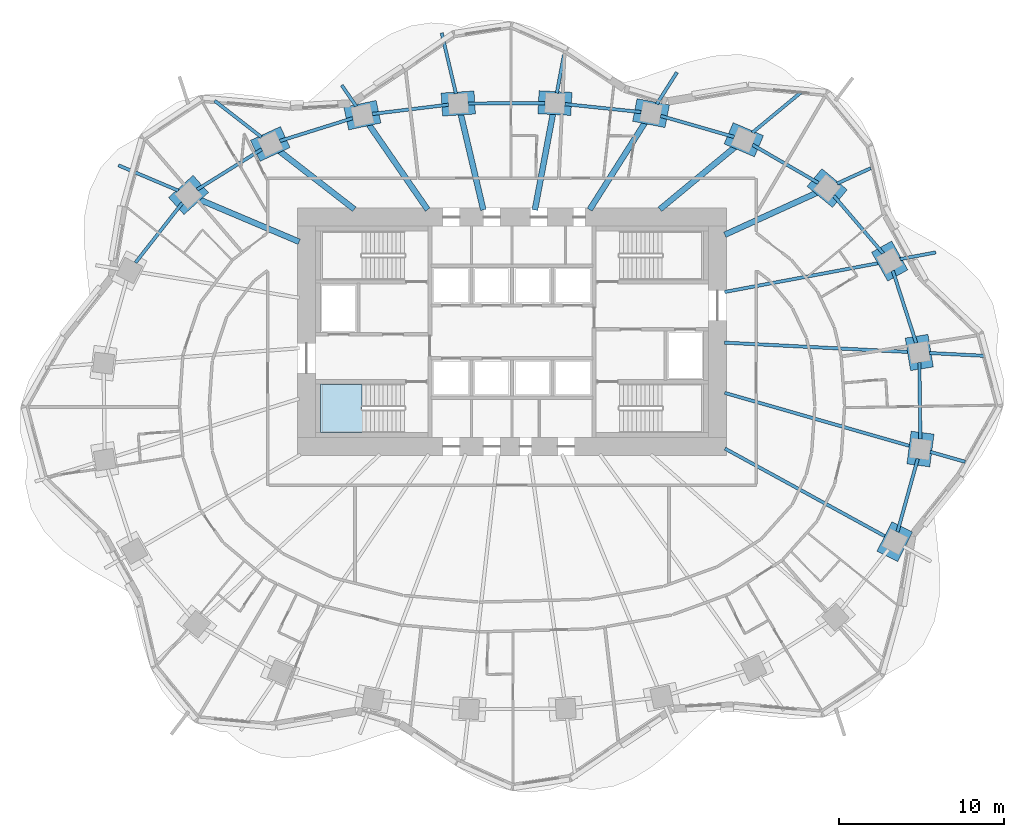
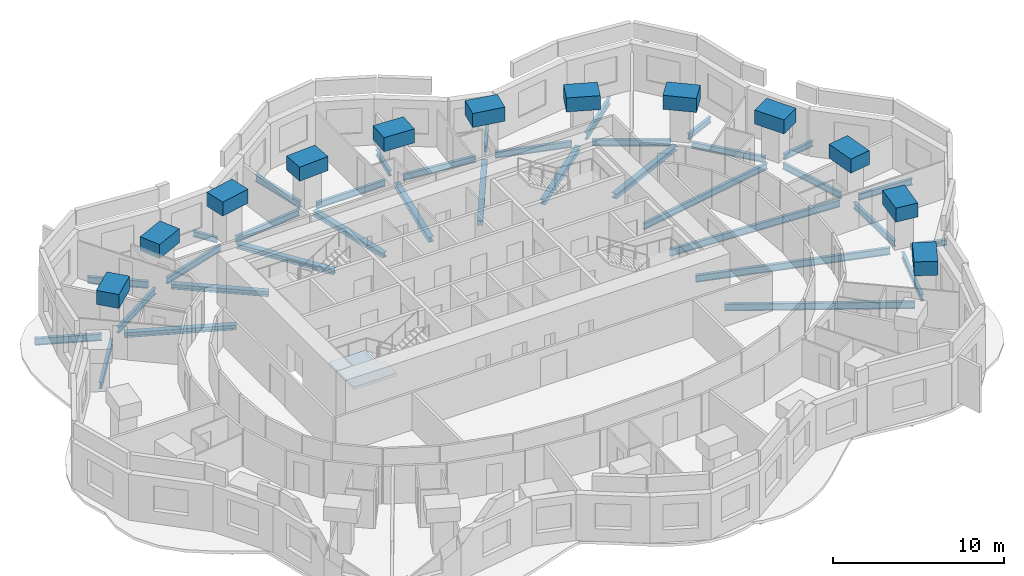
# One storey, part 2 of 12: 47 beams, 1 slab, 1 element without a shape of its own.
"""IFC4 building model written with IfcOpenShell, lengths in metres."""

from ifc_helpers import new_model, si_unit, direction, frame, origin, origin_2d, place, context, subcontext, project, spatial, polyline, rectangle, i_section, outline, extrude, material, layer, layer_set, material_profile, profile_set, type_object, element, aggregate, save


model = new_model("IFC4")

# Units and contexts
model_context = context("Model", 3, precision=1e-05, world=origin(), true_north=direction((0.0, 1.0)))
body_context = subcontext(model_context, "Body", "Model", "MODEL_VIEW")
ifc_project = project(units=[si_unit("LENGTHUNIT", "METRE"), si_unit("AREAUNIT", "SQUARE_METRE"), si_unit("VOLUMEUNIT", "CUBIC_METRE"), si_unit("PLANEANGLEUNIT", "RADIAN"), si_unit("MASSUNIT", "GRAM", prefix="KILO")], contexts=[model_context])

# Site, building, storey
site_placement = place(None, origin())
site = spatial("IfcSite", under=ifc_project, at=site_placement, CompositionType="ELEMENT")
building_placement = place(site_placement, origin())
building = spatial("IfcBuilding", under=site, at=building_placement, Name="Rubra Terraces Tower", CompositionType="ELEMENT")
storey_placement = place(building_placement, frame((0.0, 0.0, 117.60009765625)))
storey = spatial("IfcBuildingStorey", under=building, at=storey_placement, Name="L28", CompositionType="ELEMENT", Elevation=117.60009765625)

# Beams
ifc_material_1 = material(Name="Steel Q355B", Category="steel")
ifc_material_profile_1 = material_profile(ifc_material_1, i_section(OverallWidth=0.199951171875, OverallDepth=0.39990234375, WebThickness=0.008056640625, FlangeThickness=0.012939453125, at=origin_2d()), Name="HN 400x200x8x13")
ifc_profile_set_1 = profile_set([ifc_material_profile_1], Name="Steel Q355B")
beam_type_1 = type_object("IfcBeamType", Name="CANTILEVER BEAM HN 400x200x8x13", PredefinedType="BEAM", material=ifc_profile_set_1)
beam_1_placement = place(storey_placement, frame((23.5009765625, 8.904052734375, -0.400146484375), z_axis=(0.98292587687, 0.184001958085, 0.0), x_axis=(-0.184001958085, 0.98292587687, 0.0)))
element("IfcBeam", 1, at=beam_1_placement, inside=storey, type_object=beam_type_1, Name="beam-L28-cant-02", PredefinedType="BEAM", context=body_context, shape_type="SweptSolid", body=[
    extrude(i_section(OverallWidth=0.199951171875, OverallDepth=0.39990234375, WebThickness=0.008056640625, FlangeThickness=0.012939453125, at=origin_2d()), origin(), (0.0, 0.0, 1.0), 2.2119140625),
])
beam_2_placement = place(storey_placement, frame((19.697998046875, 13.485107421875, -0.400146484375), z_axis=(0.909796599885, 0.415054390216, 0.0), x_axis=(-0.415054390216, 0.909796599885, 0.0)))
element("IfcBeam", 2, at=beam_2_placement, inside=storey, type_object=beam_type_1, Name="beam-L28-cant-03", PredefinedType="BEAM", context=body_context, shape_type="SweptSolid", body=[
    extrude(i_section(OverallWidth=0.199951171875, OverallDepth=0.39990234375, WebThickness=0.008056640625, FlangeThickness=0.012939453125, at=origin_2d()), origin(), (0.0, 0.0, 1.0), 2.2333984375),
])
beam_3_placement = place(storey_placement, frame((8.76806640625, 18.29296875, -0.400146484375), z_axis=(0.536515336303, 0.843890569868, 0.0), x_axis=(-0.843890569868, 0.536515336303, 0.0)))
element("IfcBeam", 3, at=beam_3_placement, inside=storey, type_object=beam_type_1, Name="beam-L28-cant-05", PredefinedType="BEAM", context=body_context, shape_type="SweptSolid", body=[
    extrude(i_section(OverallWidth=0.199951171875, OverallDepth=0.39990234375, WebThickness=0.008056640625, FlangeThickness=0.012939453125, at=origin_2d()), origin(), (0.0, 0.0, 1.0), 2.28125),
])
beam_4_placement = place(storey_placement, frame((2.714111328125, 18.952880859375, -0.400146484375), z_axis=(0.184089718966, 0.982909444136, 0.0), x_axis=(-0.982909444136, 0.184089718966, 0.0)))
element("IfcBeam", 4, at=beam_4_placement, inside=storey, type_object=beam_type_1, Name="beam-L28-cant-06", PredefinedType="BEAM", context=body_context, shape_type="SweptSolid", body=[
    extrude(i_section(OverallWidth=0.199951171875, OverallDepth=0.39990234375, WebThickness=0.008056640625, FlangeThickness=0.012939453125, at=origin_2d()), origin(), (0.0, 0.0, 1.0), 2.37255859375),
])
beam_5_placement = place(storey_placement, frame((-9.431884765625, 18.158935546875, -0.400146484375), z_axis=(-0.568117437494, 0.822947493595, 0.0), x_axis=(-0.822947493595, -0.568117437494, 0.0)))
element("IfcBeam", 5, at=beam_5_placement, inside=storey, type_object=beam_type_1, Name="beam-L28-cant-08", PredefinedType="BEAM", context=body_context, shape_type="SweptSolid", body=[
    extrude(i_section(OverallWidth=0.199951171875, OverallDepth=0.39990234375, WebThickness=0.008056640625, FlangeThickness=0.012939453125, at=origin_2d()), origin(), (0.0, 0.0, 1.0), 1.557861328125),
])
beam_6_placement = place(storey_placement, frame((25.325927734375, -2.76611328125, -0.400146484375), z_axis=(0.961147152429, -0.276036503703, 0.0), x_axis=(0.276036503703, 0.961147152429, 0.0)))
element("IfcBeam", 6, at=beam_6_placement, inside=storey, type_object=beam_type_1, Name="beam-L28-cant-24", PredefinedType="BEAM", context=body_context, shape_type="SweptSolid", body=[
    extrude(i_section(OverallWidth=0.199951171875, OverallDepth=0.39990234375, WebThickness=0.008056640625, FlangeThickness=0.012939453125, at=origin_2d()), origin(), (0.0, 0.0, 1.0), 2.205810546875),
])
ifc_material_profile_2 = material_profile(ifc_material_1, i_section(OverallWidth=0.198974609375, OverallDepth=0.446044921875, WebThickness=0.008056640625, FlangeThickness=0.011962890625, at=origin_2d()), Name="HN 446x199x8x12")
ifc_profile_set_2 = profile_set([ifc_material_profile_2], Name="Steel Q355B")
beam_type_2 = type_object("IfcBeamType", Name="CANTILEVER BEAM HN 446x199x8x12", PredefinedType="BEAM", material=ifc_profile_set_2)
beam_7_placement = place(storey_placement, frame((25.281982421875, 3.217041015625, -0.423095703125), z_axis=(0.998709471557, -0.050787709356, 0.0), x_axis=(0.050787709356, 0.998709471557, 0.0)))
element("IfcBeam", 7, at=beam_7_placement, inside=storey, type_object=beam_type_2, Name="beam-L28-cant-01", PredefinedType="BEAM", context=body_context, shape_type="SweptSolid", body=[
    extrude(i_section(OverallWidth=0.198974609375, OverallDepth=0.446044921875, WebThickness=0.008056640625, FlangeThickness=0.011962890625, at=origin_2d()), origin(), (0.0, 0.0, 1.0), 3.523681640625),
])
ifc_material_profile_3 = material_profile(ifc_material_1, i_section(OverallWidth=0.198974609375, OverallDepth=0.49609375, WebThickness=0.009033203125, FlangeThickness=0.013916015625, at=origin_2d()), Name="HN 496x199x9x14")
ifc_profile_set_3 = profile_set([ifc_material_profile_3], Name="Steel Q355B")
beam_type_3 = type_object("IfcBeamType", Name="CANTILEVER BEAM HN 496x199x9x14", PredefinedType="BEAM", material=ifc_profile_set_3)
beam_8_placement = place(storey_placement, frame((14.56201171875, 16.56689453125, -0.447998046875), z_axis=(0.769981645212, 0.638066035796, 0.0), x_axis=(-0.638066035796, 0.769981645212, 0.0)))
element("IfcBeam", 8, at=beam_8_placement, inside=storey, type_object=beam_type_3, Name="beam-L28-cant-04", PredefinedType="BEAM", context=body_context, shape_type="SweptSolid", body=[
    extrude(i_section(OverallWidth=0.198974609375, OverallDepth=0.49609375, WebThickness=0.009033203125, FlangeThickness=0.013916015625, at=origin_2d()), origin(), (0.0, 0.0, 1.0), 3.949462890625),
])
beam_9_placement = place(storey_placement, frame((-3.39306640625, 18.922119140625, -0.447998046875), z_axis=(-0.229006945977, 0.973424788412, 0.0), x_axis=(-0.973424788412, -0.229006945977, 0.0)))
element("IfcBeam", 9, at=beam_9_placement, inside=storey, type_object=beam_type_3, Name="beam-L28-cant-07", PredefinedType="BEAM", context=body_context, shape_type="SweptSolid", body=[
    extrude(i_section(OverallWidth=0.198974609375, OverallDepth=0.49609375, WebThickness=0.009033203125, FlangeThickness=0.013916015625, at=origin_2d()), origin(), (0.0, 0.0, 1.0), 3.781494140625),
])
beam_10_placement = place(storey_placement, frame((-15.177001953125, 16.2958984375, -0.447998046875), z_axis=(-0.789542430664, 0.613695975366, 0.0), x_axis=(-0.613695975366, -0.789542430664, 0.0)))
element("IfcBeam", 10, at=beam_10_placement, inside=storey, type_object=beam_type_3, Name="beam-L28-cant-09", PredefinedType="BEAM", context=body_context, shape_type="SweptSolid", body=[
    extrude(i_section(OverallWidth=0.198974609375, OverallDepth=0.49609375, WebThickness=0.009033203125, FlangeThickness=0.013916015625, at=origin_2d()), origin(), (0.0, 0.0, 1.0), 3.593017578125),
])
beam_11_placement = place(storey_placement, frame((-20.202880859375, 13.048095703125, -0.447998046875), z_axis=(-0.921004779026, 0.389551276486, 0.0), x_axis=(-0.389551276486, -0.921004779026, 0.0)))
element("IfcBeam", 11, at=beam_11_placement, inside=storey, type_object=beam_type_3, Name="beam-L28-cant-10", PredefinedType="BEAM", context=body_context, shape_type="SweptSolid", body=[
    extrude(i_section(OverallWidth=0.198974609375, OverallDepth=0.49609375, WebThickness=0.009033203125, FlangeThickness=0.013916015625, at=origin_2d()), origin(), (0.0, 0.0, 1.0), 3.9501953125),
])
ifc_material_profile_4 = material_profile(ifc_material_1, i_section(OverallWidth=0.198974609375, OverallDepth=0.446044921875, WebThickness=0.008056640625, FlangeThickness=0.011962890625, at=origin_2d()), Name="HN 446x199x8x12")
ifc_profile_set_4 = profile_set([ifc_material_profile_4], Name="Steel Q355B")
beam_type_4 = type_object("IfcBeamType", Name="FLOOR BEAM HN 446x199x8x12", PredefinedType="BEAM", material=ifc_profile_set_4)
beam_12_placement = place(storey_placement, frame((22.257080078125, 8.669921875, -0.423095703125), z_axis=(-0.982909257943, -0.184090713102, 0.0), x_axis=(0.184090713102, -0.982909257943, 0.0)))
element("IfcBeam", 12, at=beam_12_placement, inside=storey, type_object=beam_type_4, Name="beam-L28-floor-02", PredefinedType="BEAM", context=body_context, shape_type="SweptSolid", body=[
    extrude(i_section(OverallWidth=0.198974609375, OverallDepth=0.446044921875, WebThickness=0.008056640625, FlangeThickness=0.011962890625, at=origin_2d()), origin(), (0.0, 0.0, 1.0), 9.5380859375),
])
ifc_material_profile_5 = material_profile(ifc_material_1, i_section(OverallWidth=0.198974609375, OverallDepth=0.49609375, WebThickness=0.009033203125, FlangeThickness=0.013916015625, at=origin_2d()), Name="HN 496x199x9x14")
ifc_profile_set_5 = profile_set([ifc_material_profile_5], Name="Steel Q355B")
beam_type_5 = type_object("IfcBeamType", Name="FLOOR BEAM HN 496x199x9x14", PredefinedType="BEAM", material=ifc_profile_set_5)
beam_13_placement = place(storey_placement, frame((24.055908203125, 3.279052734375, -0.447998046875), z_axis=(-0.998716006853, 0.050659033312, 0.0), x_axis=(-0.050659033312, -0.998716006853, 0.0)))
element("IfcBeam", 13, at=beam_13_placement, inside=storey, type_object=beam_type_5, Name="beam-L28-floor-01", PredefinedType="BEAM", context=body_context, shape_type="SweptSolid", body=[
    extrude(i_section(OverallWidth=0.198974609375, OverallDepth=0.49609375, WebThickness=0.009033203125, FlangeThickness=0.013916015625, at=origin_2d()), origin(), (0.0, 0.0, 1.0), 11.1904296875),
])
beam_14_placement = place(storey_placement, frame((22.658935546875, -7.9208984375, -0.447998046875), z_axis=(-0.876910796921, 0.480653153785, 0.0), x_axis=(-0.480653153785, -0.876910796921, 0.0)))
element("IfcBeam", 14, at=beam_14_placement, inside=storey, type_object=beam_type_5, Name="beam-L28-floor-23", PredefinedType="BEAM", context=body_context, shape_type="SweptSolid", body=[
    extrude(i_section(OverallWidth=0.198974609375, OverallDepth=0.49609375, WebThickness=0.009033203125, FlangeThickness=0.013916015625, at=origin_2d()), origin(), (0.0, 0.0, 1.0), 11.134521484375),
])
beam_15_placement = place(storey_placement, frame((24.159912109375, -2.431884765625, -0.447998046875), z_axis=(-0.9612201884, 0.275782068691, 0.0), x_axis=(-0.275782068691, -0.9612201884, 0.0)))
element("IfcBeam", 15, at=beam_15_placement, inside=storey, type_object=beam_type_5, Name="beam-L28-floor-24", PredefinedType="BEAM", context=body_context, shape_type="SweptSolid", body=[
    extrude(i_section(OverallWidth=0.198974609375, OverallDepth=0.49609375, WebThickness=0.009033203125, FlangeThickness=0.013916015625, at=origin_2d()), origin(), (0.0, 0.0, 1.0), 11.729736328125),
])
ifc_material_profile_6 = material_profile(ifc_material_1, i_section(OverallWidth=0.35009765625, OverallDepth=0.35009765625, WebThickness=0.011962890625, FlangeThickness=0.01904296875, at=origin_2d()), Name="HW 350x350x12x19")
ifc_profile_set_6 = profile_set([ifc_material_profile_6], Name="Steel Q355B")
beam_type_6 = type_object("IfcBeamType", Name="FLOOR BEAM HW 350x350x12x19", PredefinedType="BEAM", material=ifc_profile_set_6)
beam_16_placement = place(storey_placement, frame((18.486083984375, 12.93310546875, -0.375), z_axis=(-0.909749612827, -0.415157370116, 0.0), x_axis=(0.415157370116, -0.909749612827, 0.0)))
element("IfcBeam", 16, at=beam_16_placement, inside=storey, type_object=beam_type_6, Name="beam-L28-floor-03", PredefinedType="BEAM", context=body_context, shape_type="SweptSolid", body=[
    extrude(i_section(OverallWidth=0.35009765625, OverallDepth=0.35009765625, WebThickness=0.011962890625, FlangeThickness=0.01904296875, at=origin_2d()), origin(), (0.0, 0.0, 1.0), 6.14990234375),
])
beam_17_placement = place(storey_placement, frame((13.52197265625, 15.705078125, -0.375), z_axis=(-0.769987448283, -0.638059032917, 0.0), x_axis=(0.638059032917, -0.769987448283, 0.0)))
element("IfcBeam", 17, at=beam_17_placement, inside=storey, type_object=beam_type_6, Name="beam-L28-floor-04", PredefinedType="BEAM", context=body_context, shape_type="SweptSolid", body=[
    extrude(i_section(OverallWidth=0.35009765625, OverallDepth=0.35009765625, WebThickness=0.011962890625, FlangeThickness=0.01904296875, at=origin_2d()), origin(), (0.0, 0.0, 1.0), 5.92724609375),
])
beam_18_placement = place(storey_placement, frame((8.075927734375, 17.205078125, -0.375), z_axis=(-0.536468405163, -0.843920405169, 0.0), x_axis=(0.843920405169, -0.536468405163, 0.0)))
element("IfcBeam", 18, at=beam_18_placement, inside=storey, type_object=beam_type_6, Name="beam-L28-floor-05", PredefinedType="BEAM", context=body_context, shape_type="SweptSolid", body=[
    extrude(i_section(OverallWidth=0.35009765625, OverallDepth=0.35009765625, WebThickness=0.011962890625, FlangeThickness=0.01904296875, at=origin_2d()), origin(), (0.0, 0.0, 1.0), 6.28759765625),
])
beam_19_placement = place(storey_placement, frame((2.489990234375, 17.762939453125, -0.375), z_axis=(-0.184505318504, -0.982831515288, 0.0), x_axis=(0.982831515288, -0.184505318504, 0.0)))
element("IfcBeam", 19, at=beam_19_placement, inside=storey, type_object=beam_type_6, Name="beam-L28-floor-06", PredefinedType="BEAM", context=body_context, shape_type="SweptSolid", body=[
    extrude(i_section(OverallWidth=0.35009765625, OverallDepth=0.35009765625, WebThickness=0.011962890625, FlangeThickness=0.01904296875, at=origin_2d()), origin(), (0.0, 0.0, 1.0), 5.983642578125),
])
beam_20_placement = place(storey_placement, frame((-3.114990234375, 17.738037109375, -0.375), z_axis=(0.229084580284, -0.973406520975, 0.0), x_axis=(0.973406520975, 0.229084580284, 0.0)))
element("IfcBeam", 20, at=beam_20_placement, inside=storey, type_object=beam_type_6, Name="beam-L28-floor-07", PredefinedType="BEAM", context=body_context, shape_type="SweptSolid", body=[
    extrude(i_section(OverallWidth=0.35009765625, OverallDepth=0.35009765625, WebThickness=0.011962890625, FlangeThickness=0.01904296875, at=origin_2d()), origin(), (0.0, 0.0, 1.0), 6.014892578125),
])
beam_21_placement = place(storey_placement, frame((-8.694091796875, 17.091064453125, -0.375), z_axis=(0.568116443955, -0.822948179479, 0.0), x_axis=(0.822948179479, 0.568116443955, 0.0)))
element("IfcBeam", 21, at=beam_21_placement, inside=storey, type_object=beam_type_6, Name="beam-L28-floor-08", PredefinedType="BEAM", context=body_context, shape_type="SweptSolid", body=[
    extrude(i_section(OverallWidth=0.35009765625, OverallDepth=0.35009765625, WebThickness=0.011962890625, FlangeThickness=0.01904296875, at=origin_2d()), origin(), (0.0, 0.0, 1.0), 6.306884765625),
])
beam_22_placement = place(storey_placement, frame((-14.10888671875, 15.466064453125, -0.375), z_axis=(0.789514006973, -0.613732541742, 0.0), x_axis=(0.613732541742, 0.789514006973, 0.0)))
element("IfcBeam", 22, at=beam_22_placement, inside=storey, type_object=beam_type_6, Name="beam-L28-floor-09", PredefinedType="BEAM", context=body_context, shape_type="SweptSolid", body=[
    extrude(i_section(OverallWidth=0.35009765625, OverallDepth=0.35009765625, WebThickness=0.011962890625, FlangeThickness=0.01904296875, at=origin_2d()), origin(), (0.0, 0.0, 1.0), 5.76806640625),
])
beam_23_placement = place(storey_placement, frame((-18.98291015625, 12.531982421875, -0.375), z_axis=(0.920986092, -0.389595454726, 0.0), x_axis=(0.389595454726, 0.920986092, 0.0)))
element("IfcBeam", 23, at=beam_23_placement, inside=storey, type_object=beam_type_6, Name="beam-L28-floor-10", PredefinedType="BEAM", context=body_context, shape_type="SweptSolid", body=[
    extrude(i_section(OverallWidth=0.35009765625, OverallDepth=0.35009765625, WebThickness=0.011962890625, FlangeThickness=0.01904296875, at=origin_2d()), origin(), (0.0, 0.0, 1.0), 6.61669921875),
])
ifc_material_profile_7 = material_profile(ifc_material_1, i_section(OverallWidth=0.198974609375, OverallDepth=0.446044921875, WebThickness=0.008056640625, FlangeThickness=0.011962890625, at=origin_2d()), Name="HN 446x199x8x12")
ifc_profile_set_7 = profile_set([ifc_material_profile_7], Name="Steel Q355B")
beam_type_7 = type_object("IfcBeamType", Name="SPANDREL BEAM HN 446x199x8x12", PredefinedType="SPANDREL", material=ifc_profile_set_7)
beam_24_placement = place(storey_placement, frame((24.48193359375, 3.824951171875, -0.423095703125), z_axis=(-0.307414966872, 0.951575555667, 0.0), x_axis=(-0.951575555667, -0.307414966872, 0.0)))
element("IfcBeam", 24, at=beam_24_placement, inside=storey, type_object=beam_type_7, Name="beam-L28-spandrel-01", PredefinedType="SPANDREL", context=body_context, shape_type="SweptSolid", body=[
    extrude(i_section(OverallWidth=0.198974609375, OverallDepth=0.446044921875, WebThickness=0.008056640625, FlangeThickness=0.011962890625, at=origin_2d()), origin(), (0.0, 0.0, 1.0), 4.60302734375),
])
beam_25_placement = place(storey_placement, frame((22.48095703125, 9.251953125, -0.423095703125), z_axis=(-0.650428637413, 0.759567368726, 0.0), x_axis=(-0.759567368726, -0.650428637413, 0.0)))
element("IfcBeam", 25, at=beam_25_placement, inside=storey, type_object=beam_type_7, Name="beam-L28-spandrel-02", PredefinedType="SPANDREL", context=body_context, shape_type="SweptSolid", body=[
    extrude(i_section(OverallWidth=0.198974609375, OverallDepth=0.446044921875, WebThickness=0.008056640625, FlangeThickness=0.011962890625, at=origin_2d()), origin(), (0.0, 0.0, 1.0), 4.6015625),
])
beam_26_placement = place(storey_placement, frame((18.56494140625, 13.513916015625, -0.423095703125), z_axis=(-0.865116425734, 0.501571101565, 0.0), x_axis=(-0.501571101565, -0.865116425734, 0.0)))
element("IfcBeam", 26, at=beam_26_placement, inside=storey, type_object=beam_type_7, Name="beam-L28-spandrel-03", PredefinedType="SPANDREL", context=body_context, shape_type="SweptSolid", body=[
    extrude(i_section(OverallWidth=0.198974609375, OverallDepth=0.446044921875, WebThickness=0.008056640625, FlangeThickness=0.011962890625, at=origin_2d()), origin(), (0.0, 0.0, 1.0), 4.62353515625),
])
beam_27_placement = place(storey_placement, frame((13.4609375, 16.302978515625, -0.423095703125), z_axis=(-0.961195652649, 0.275867572085, 0.0), x_axis=(-0.275867572085, -0.961195652649, 0.0)))
element("IfcBeam", 27, at=beam_27_placement, inside=storey, type_object=beam_type_7, Name="beam-L28-spandrel-04", PredefinedType="SPANDREL", context=body_context, shape_type="SweptSolid", body=[
    extrude(i_section(OverallWidth=0.198974609375, OverallDepth=0.446044921875, WebThickness=0.008056640625, FlangeThickness=0.011962890625, at=origin_2d()), origin(), (0.0, 0.0, 1.0), 4.639892578125),
])
beam_28_placement = place(storey_placement, frame((7.822998046875, 17.81201171875, -0.423095703125), z_axis=(-0.994588599148, 0.103891859374, 0.0), x_axis=(-0.103891859374, -0.994588599148, 0.0)))
element("IfcBeam", 28, at=beam_28_placement, inside=storey, type_object=beam_type_7, Name="beam-L28-spandrel-05", PredefinedType="SPANDREL", context=body_context, shape_type="SweptSolid", body=[
    extrude(i_section(OverallWidth=0.198974609375, OverallDepth=0.446044921875, WebThickness=0.008056640625, FlangeThickness=0.011962890625, at=origin_2d()), origin(), (0.0, 0.0, 1.0), 4.648193359375),
])
beam_29_placement = place(storey_placement, frame((2.0009765625, 18.35498046875, -0.423095703125), z_axis=(-0.99998885538, -0.004721135025, 0.0), x_axis=(0.004721135025, -0.99998885538, 0.0)))
element("IfcBeam", 29, at=beam_29_placement, inside=storey, type_object=beam_type_7, Name="beam-L28-spandrel-06", PredefinedType="SPANDREL", context=body_context, shape_type="SweptSolid", body=[
    extrude(i_section(OverallWidth=0.198974609375, OverallDepth=0.446044921875, WebThickness=0.008056640625, FlangeThickness=0.011962890625, at=origin_2d()), origin(), (0.0, 0.0, 1.0), 4.654052734375),
])
beam_30_placement = place(storey_placement, frame((-3.85107421875, 18.258056640625, -0.423095703125), z_axis=(-0.992713612833, -0.120497646851, 0.0), x_axis=(0.120497646851, -0.992713612833, 0.0)))
element("IfcBeam", 30, at=beam_30_placement, inside=storey, type_object=beam_type_7, Name="beam-L28-spandrel-07", PredefinedType="SPANDREL", context=body_context, shape_type="SweptSolid", body=[
    extrude(i_section(OverallWidth=0.198974609375, OverallDepth=0.446044921875, WebThickness=0.008056640625, FlangeThickness=0.011962890625, at=origin_2d()), origin(), (0.0, 0.0, 1.0), 4.64794921875),
])
beam_31_placement = place(storey_placement, frame((-9.637939453125, 17.445068359375, -0.423095703125), z_axis=(-0.954462184919, -0.298331925142, 0.0), x_axis=(0.298331925142, -0.954462184919, 0.0)))
element("IfcBeam", 31, at=beam_31_placement, inside=storey, type_object=beam_type_7, Name="beam-L28-spandrel-08", PredefinedType="SPANDREL", context=body_context, shape_type="SweptSolid", body=[
    extrude(i_section(OverallWidth=0.198974609375, OverallDepth=0.446044921875, WebThickness=0.008056640625, FlangeThickness=0.011962890625, at=origin_2d()), origin(), (0.0, 0.0, 1.0), 4.63916015625),
])
beam_32_placement = place(storey_placement, frame((-15.156005859375, 15.56103515625, -0.423095703125), z_axis=(-0.848188188849, -0.529695003089, 0.0), x_axis=(0.529695003089, -0.848188188849, 0.0)))
element("IfcBeam", 32, at=beam_32_placement, inside=storey, type_object=beam_type_7, Name="beam-L28-spandrel-09", PredefinedType="SPANDREL", context=body_context, shape_type="SweptSolid", body=[
    extrude(i_section(OverallWidth=0.198974609375, OverallDepth=0.446044921875, WebThickness=0.008056640625, FlangeThickness=0.011962890625, at=origin_2d()), origin(), (0.0, 0.0, 1.0), 4.62158203125),
])
beam_33_placement = place(storey_placement, frame((-19.968994140625, 12.31103515625, -0.423095703125), z_axis=(-0.61694919408, -0.787002980886, 0.0), x_axis=(0.787002980886, -0.61694919408, 0.0)))
element("IfcBeam", 33, at=beam_33_placement, inside=storey, type_object=beam_type_7, Name="beam-L28-spandrel-10", PredefinedType="SPANDREL", context=body_context, shape_type="SweptSolid", body=[
    extrude(i_section(OverallWidth=0.198974609375, OverallDepth=0.446044921875, WebThickness=0.008056640625, FlangeThickness=0.011962890625, at=origin_2d()), origin(), (0.0, 0.0, 1.0), 4.599853515625),
])
beam_34_placement = place(storey_placement, frame((23.34912109375, -7.6201171875, -0.423095703125), z_axis=(0.26752901479, 0.963549804756, 0.0), x_axis=(-0.963549804756, 0.26752901479, 0.0)))
element("IfcBeam", 34, at=beam_34_placement, inside=storey, type_object=beam_type_7, Name="beam-L28-spandrel-23", PredefinedType="SPANDREL", context=body_context, shape_type="SweptSolid", body=[
    extrude(i_section(OverallWidth=0.198974609375, OverallDepth=0.446044921875, WebThickness=0.008056640625, FlangeThickness=0.011962890625, at=origin_2d()), origin(), (0.0, 0.0, 1.0), 4.60498046875),
])
beam_35_placement = place(storey_placement, frame((24.735107421875, -1.992919921875, -0.423095703125), z_axis=(-0.012537869063, 0.999921397831, 0.0), x_axis=(-0.999921397831, -0.012537869063, 0.0)))
element("IfcBeam", 35, at=beam_35_placement, inside=storey, type_object=beam_type_7, Name="beam-L28-spandrel-24", PredefinedType="SPANDREL", context=body_context, shape_type="SweptSolid", body=[
    extrude(i_section(OverallWidth=0.198974609375, OverallDepth=0.446044921875, WebThickness=0.008056640625, FlangeThickness=0.011962890625, at=origin_2d()), origin(), (0.0, 0.0, 1.0), 4.63427734375),
])
ifc_material_2 = material(Name="Concrete C60", Category="concrete")
ifc_material_profile_8 = material_profile(ifc_material_2, rectangle(XDim=1.39990234375, YDim=1.0, at=origin_2d()), Name="RC 1400x1000")
ifc_profile_set_8 = profile_set([ifc_material_profile_8], Name="Concrete C60")
beam_type_8 = type_object("IfcBeamType", Name="TRANSFER NODE RC 1400x1000 C60", PredefinedType="BEAM", material=ifc_profile_set_8)
beam_36_placement = place(storey_placement, frame((24.8310546875, 2.260986328125, 2.7998046875), z_axis=(-0.161944523779, 0.986799863811, 0.0), x_axis=(-0.986799863811, -0.161944523779, 0.0)))
element("IfcBeam", 36, at=beam_36_placement, inside=storey, type_object=beam_type_8, Name="node-L29-lo-01", PredefinedType="BEAM", context=body_context, shape_type="SweptSolid", body=[
    extrude(rectangle(XDim=1.39990234375, YDim=1.0, at=origin_2d()), origin(), (0.0, 0.0, 1.0), 2.00048828125),
])
beam_37_placement = place(storey_placement, frame((23.367919921875, 7.9140625, 2.7998046875), z_axis=(-0.488737103931, 0.872431110886, 0.0), x_axis=(-0.872431110886, -0.488737103931, 0.0)))
element("IfcBeam", 37, at=beam_37_placement, inside=storey, type_object=beam_type_8, Name="node-L29-lo-02", PredefinedType="BEAM", context=body_context, shape_type="SweptSolid", body=[
    extrude(rectangle(XDim=1.39990234375, YDim=1.0, at=origin_2d()), origin(), (0.0, 0.0, 1.0), 2.001220703125),
])
beam_38_placement = place(storey_placement, frame((19.861083984375, 12.570068359375, 2.7998046875), z_axis=(-0.769181140398, 0.639030807752, 0.0), x_axis=(-0.639030807752, -0.769181140398, 0.0)))
element("IfcBeam", 38, at=beam_38_placement, inside=storey, type_object=beam_type_8, Name="node-L29-lo-03", PredefinedType="BEAM", context=body_context, shape_type="SweptSolid", body=[
    extrude(rectangle(XDim=1.39990234375, YDim=1.0, at=origin_2d()), origin(), (0.0, 0.0, 1.0), 1.999755859375),
])
beam_39_placement = place(storey_placement, frame((14.9619140625, 15.743896484375, 2.7998046875), z_axis=(-0.919926151896, 0.392091666652, 0.0), x_axis=(-0.392091666652, -0.919926151896, 0.0)))
element("IfcBeam", 39, at=beam_39_placement, inside=storey, type_object=beam_type_8, Name="node-L29-lo-04", PredefinedType="BEAM", context=body_context, shape_type="SweptSolid", body=[
    extrude(rectangle(XDim=1.39990234375, YDim=1.0, at=origin_2d()), origin(), (0.0, 0.0, 1.0), 2.0),
])
beam_40_placement = place(storey_placement, frame((9.404052734375, 17.55810546875, 2.7998046875), z_axis=(-0.98162237434, 0.190833734427, 0.0), x_axis=(-0.190833734427, -0.98162237434, 0.0)))
element("IfcBeam", 40, at=beam_40_placement, inside=storey, type_object=beam_type_8, Name="node-L29-lo-05", PredefinedType="BEAM", context=body_context, shape_type="SweptSolid", body=[
    extrude(rectangle(XDim=1.39990234375, YDim=1.0, at=origin_2d()), origin(), (0.0, 0.0, 1.0), 2.0009765625),
])
beam_41_placement = place(storey_placement, frame((3.60107421875, 18.30810546875, 2.7998046875), z_axis=(-0.998753555911, 0.049913270328, 0.0), x_axis=(-0.049913270328, -0.998753555911, 0.0)))
element("IfcBeam", 41, at=beam_41_placement, inside=storey, type_object=beam_type_8, Name="node-L29-lo-06", PredefinedType="BEAM", context=body_context, shape_type="SweptSolid", body=[
    extrude(rectangle(XDim=1.39990234375, YDim=1.0, at=origin_2d()), origin(), (0.0, 0.0, 1.0), 2.00048828125),
])
beam_42_placement = place(storey_placement, frame((-2.256103515625, 18.39306640625, 2.7998046875), z_axis=(-0.998013911654, -0.062993905616, 0.0), x_axis=(0.062993905616, -0.998013911654, 0.0)))
element("IfcBeam", 42, at=beam_42_placement, inside=storey, type_object=beam_type_8, Name="node-L29-lo-07", PredefinedType="BEAM", context=body_context, shape_type="SweptSolid", body=[
    extrude(rectangle(XDim=1.39990234375, YDim=1.0, at=origin_2d()), origin(), (0.0, 0.0, 1.0), 1.999755859375),
])
beam_43_placement = place(storey_placement, frame((-8.0849609375, 17.8349609375, 2.7998046875), z_axis=(-0.977723768345, -0.209895766544, 0.0), x_axis=(0.209895766544, -0.977723768345, 0.0)))
element("IfcBeam", 43, at=beam_43_placement, inside=storey, type_object=beam_type_8, Name="node-L29-lo-08", PredefinedType="BEAM", context=body_context, shape_type="SweptSolid", body=[
    extrude(rectangle(XDim=1.39990234375, YDim=1.0, at=origin_2d()), origin(), (0.0, 0.0, 1.0), 2.000732421875),
])
beam_44_placement = place(storey_placement, frame((-13.73388671875, 16.298095703125, 2.7998046875), z_axis=(-0.90893572081, -0.416936272631, 0.0), x_axis=(0.416936272631, -0.90893572081, 0.0)))
element("IfcBeam", 44, at=beam_44_placement, inside=storey, type_object=beam_type_8, Name="node-L29-lo-09", PredefinedType="BEAM", context=body_context, shape_type="SweptSolid", body=[
    extrude(rectangle(XDim=1.39990234375, YDim=1.0, at=origin_2d()), origin(), (0.0, 0.0, 1.0), 2.000244140625),
])
beam_45_placement = place(storey_placement, frame((-18.84912109375, 13.4580078125, 2.7998046875), z_axis=(-0.744058621089, -0.668114337807, 0.0), x_axis=(0.668114337807, -0.744058621089, 0.0)))
element("IfcBeam", 45, at=beam_45_placement, inside=storey, type_object=beam_type_8, Name="node-L29-lo-10", PredefinedType="BEAM", context=body_context, shape_type="SweptSolid", body=[
    extrude(rectangle(XDim=1.39990234375, YDim=1.0, at=origin_2d()), origin(), (0.0, 0.0, 1.0), 1.99951171875),
])
beam_46_placement = place(storey_placement, frame((22.73388671875, -9.10302734375, 2.7998046875), z_axis=(0.450821401525, 0.892614174169, 0.0), x_axis=(-0.892614174169, 0.450821401525, 0.0)))
element("IfcBeam", 46, at=beam_46_placement, inside=storey, type_object=beam_type_8, Name="node-L29-lo-23", PredefinedType="BEAM", context=body_context, shape_type="SweptSolid", body=[
    extrude(rectangle(XDim=1.39990234375, YDim=1.0, at=origin_2d()), origin(), (0.0, 0.0, 1.0), 2.0009765625),
])
beam_47_placement = place(storey_placement, frame((24.614990234375, -3.591064453125, 2.7998046875), z_axis=(0.128013930839, 0.991772369806, 0.0), x_axis=(-0.991772369806, 0.128013930839, 0.0)))
element("IfcBeam", 47, at=beam_47_placement, inside=storey, type_object=beam_type_8, Name="node-L29-lo-24", PredefinedType="BEAM", context=body_context, shape_type="SweptSolid", body=[
    extrude(rectangle(XDim=1.39990234375, YDim=1.0, at=origin_2d()), origin(), (0.0, 0.0, 1.0), 2.00048828125),
])

# Stair, slab
ifc_material_3 = material(Name="Concrete C40", Category="concrete")
stair_type = type_object("IfcStairType", Name="Core stair 1400", PredefinedType="HALF_TURN_STAIR", material=ifc_material_3)
stair_placement = place(storey_placement, origin())
stair = element("IfcStair", 48, at=stair_placement, inside=storey, type_object=stair_type, Name="L28 Exit stair S1", PredefinedType="HALF_TURN_STAIR")
ifc_layer = layer(ifc_material_3, 0.199951171875)
ifc_layer_set = layer_set([ifc_layer], Name="Concrete C40")
slab_type = type_object("IfcSlabType", Name="Core stair landing 200", PredefinedType="LANDING", material=ifc_layer_set)
slab_placement = place(storey_placement, frame((0.0, 0.0, 1.599853515625)))
slab = element("IfcSlab", 49, at=slab_placement, type_object=slab_type, Name="S1 landing 1", PredefinedType="LANDING", context=body_context, shape_type="SweptSolid", body=[
    extrude(outline(polyline([(-8.719970703125, -0.199951171875), (-8.719970703125, -1.60009765625), (-9.10009765625, -1.60009765625), (-9.1201171875, -1.60009765625), (-11.60009765625, -1.60009765625), (-11.60009765625, 1.35009765625), (-9.1201171875, 1.35009765625), (-9.097900390625, 1.35009765625), (-9.097900390625, -0.050048828125), (-9.10009765625, -0.050048828125), (-9.10009765625, -0.199951171875), (-8.719970703125, -0.199951171875)])), origin(), (0.0, 0.0, 1.0), 0.199951171875),
])
aggregate(stair, [slab])

save(model, "model.ifc")
